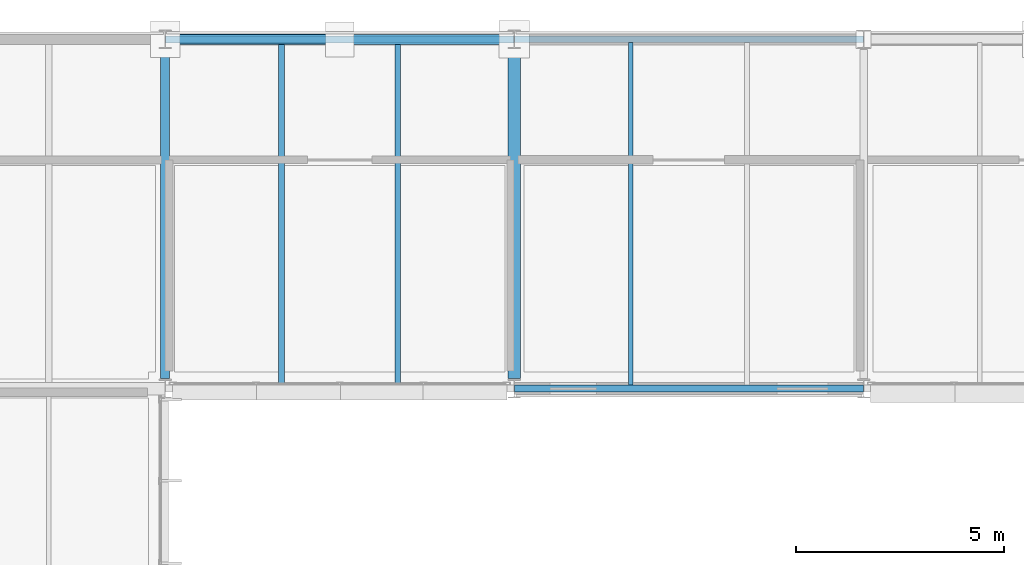
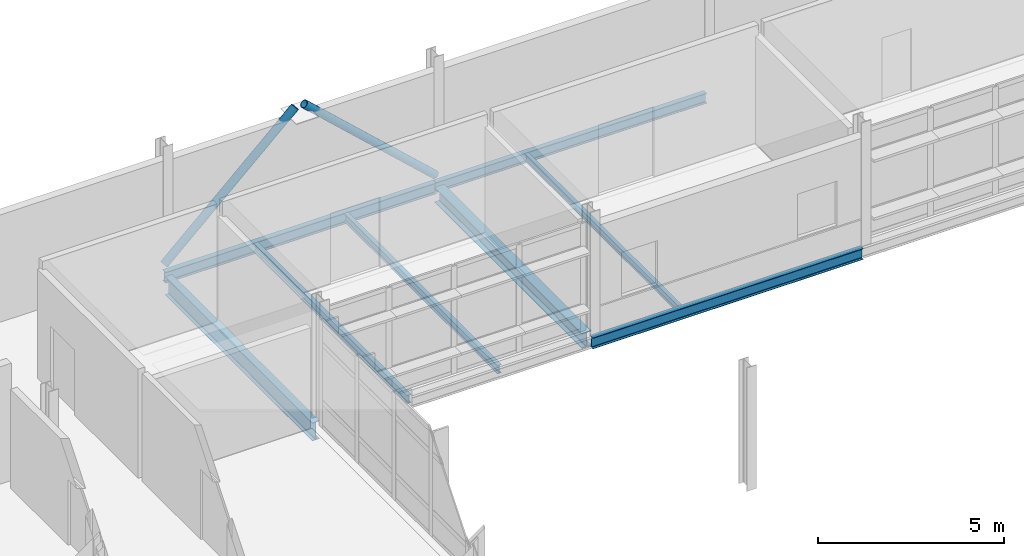
# One storey, part 50 of 131: 8 beams, 2 members.
"""IFC4 building model written with IfcOpenShell, lengths in metres."""

from ifc_helpers import new_model, si_unit, direction, frame, origin, origin_2d, place, context, subcontext, project, spatial, hollow_circle, i_section, extrude, material, material_profile, profile_set, type_object, element, save


model = new_model("IFC4")

# Units and contexts
model_context = context("Model", 3, precision=1e-05, world=origin(), true_north=direction((0.0, 1.0)))
body_context = subcontext(model_context, "Body", "Model", "MODEL_VIEW")
ifc_project = project(units=[si_unit("LENGTHUNIT", "METRE"), si_unit("AREAUNIT", "SQUARE_METRE"), si_unit("VOLUMEUNIT", "CUBIC_METRE"), si_unit("PLANEANGLEUNIT", "RADIAN"), si_unit("MASSUNIT", "GRAM", prefix="KILO")], contexts=[model_context])

# Site, building, storey
site_placement = place(None, origin())
site = spatial("IfcSite", under=ifc_project, at=site_placement, CompositionType="ELEMENT")
building_placement = place(site_placement, origin())
building = spatial("IfcBuilding", under=site, at=building_placement, Name="Mersafa Astral City Hall", CompositionType="ELEMENT")
storey_placement = place(building_placement, frame((0.0, 0.0, 13.949951171875)))
storey = spatial("IfcBuildingStorey", under=building, at=storey_placement, Name="L03", CompositionType="ELEMENT", Elevation=13.949951171875)

# Beams
ifc_material = material(Name="Steel S355", Category="steel")
ifc_material_profile_1 = material_profile(ifc_material, i_section(OverallWidth=0.300048828125, OverallDepth=0.489990234375, WebThickness=0.011962890625, FlangeThickness=0.02294921875, FilletRadius=0.027099609375, at=origin_2d()), Name="HEA 500")
ifc_profile_set_1 = profile_set([ifc_material_profile_1], Name="Steel S355")
beam_type_1 = type_object("IfcBeamType", Name="STR-BM-HEA500", PredefinedType="BEAM", material=ifc_profile_set_1)
beam_1_placement = place(storey_placement, frame((67.199951171875, 117.844970703125, -0.445068359375), z_axis=(0.0, 1.0, 0.0), x_axis=(-1.0, 0.0, 0.0)))
element("IfcBeam", 1, at=beam_1_placement, inside=storey, type_object=beam_type_1, Name="L03 Primary girder Y 8-14", PredefinedType="BEAM", context=body_context, shape_type="SweptSolid", body=[
    extrude(i_section(OverallWidth=0.300048828125, OverallDepth=0.489990234375, WebThickness=0.011962890625, FlangeThickness=0.02294921875, FilletRadius=0.027099609375, at=origin_2d()), origin(), (0.0, 0.0, 1.0), 7.909912109375),
])
ifc_material_profile_2 = material_profile(ifc_material, i_section(OverallWidth=0.219970703125, OverallDepth=0.60009765625, WebThickness=0.011962890625, FlangeThickness=0.01904296875, FilletRadius=0.02392578125, at=origin_2d()), Name="IPE 600")
ifc_profile_set_2 = profile_set([ifc_material_profile_2], Name="Steel S355")
beam_type_2 = type_object("IfcBeamType", Name="STR-BM-IPE600", PredefinedType="BEAM", material=ifc_profile_set_2)
beam_2_placement = place(storey_placement, frame((58.800048828125, 117.844970703125, -0.5), z_axis=(0.0, 1.0, 0.0), x_axis=(-1.0, 0.0, 0.0)))
element("IfcBeam", 2, at=beam_2_placement, inside=storey, type_object=beam_type_2, Name="L03 Primary girder Y 7-14", PredefinedType="BEAM", context=body_context, shape_type="SweptSolid", body=[
    extrude(i_section(OverallWidth=0.219970703125, OverallDepth=0.60009765625, WebThickness=0.011962890625, FlangeThickness=0.01904296875, FilletRadius=0.02392578125, at=origin_2d()), origin(), (0.0, 0.0, 1.0), 7.909912109375),
])
ifc_material_profile_3 = material_profile(ifc_material, i_section(OverallWidth=0.1201171875, OverallDepth=0.239990234375, WebThickness=0.006103515625, FlangeThickness=0.009765625, FilletRadius=0.014892578125, at=origin_2d()), Name="IPE 240")
ifc_profile_set_3 = profile_set([ifc_material_profile_3], Name="Steel S355")
beam_type_3 = type_object("IfcBeamType", Name="STR-BM-JOIST-IPE240", PredefinedType="JOIST", material=ifc_profile_set_3)
beam_3_placement = place(storey_placement, frame((70.0, 117.679931640625, -0.320068359375), z_axis=(0.0, 1.0, 0.0), x_axis=(-1.0, 0.0, 0.0)))
element("IfcBeam", 3, at=beam_3_placement, inside=storey, type_object=beam_type_3, Name="L03 Composite secondary floor joist 576", PredefinedType="JOIST", context=body_context, shape_type="SweptSolid", body=[
    extrude(i_section(OverallWidth=0.1201171875, OverallDepth=0.239990234375, WebThickness=0.006103515625, FlangeThickness=0.009765625, FilletRadius=0.014892578125, at=origin_2d()), origin(), (0.0, 0.0, 1.0), 8.2451171875),
])
ifc_material_profile_4 = material_profile(ifc_material, i_section(OverallWidth=0.135009765625, OverallDepth=0.27001953125, WebThickness=0.006591796875, FlangeThickness=0.01025390625, FilletRadius=0.014892578125, at=origin_2d()), Name="IPE 270")
ifc_profile_set_4 = profile_set([ifc_material_profile_4], Name="Steel S355")
beam_type_4 = type_object("IfcBeamType", Name="STR-BM-JOIST-IPE270", PredefinedType="JOIST", material=ifc_profile_set_4)
for number, where, z_axis, x_axis, name in (
    (4, (61.60009765625, 117.675048828125, -0.3349609375), (0.0, 1.0, 0.0), (-1.0, 0.0, 0.0), "L03 Composite secondary floor joist 574"),
    (5, (64.39990234375, 117.675048828125, -0.3349609375), (0.0, 1.0, 0.0), (-1.0, 0.0, 0.0), "L03 Composite secondary floor joist 575"),
):
    element("IfcBeam", number, at=place(storey_placement, frame(where, z_axis=z_axis, x_axis=x_axis)), inside=storey, type_object=beam_type_4, Name=name, PredefinedType="JOIST", context=body_context, shape_type="SweptSolid", body=[
        extrude(i_section(OverallWidth=0.135009765625, OverallDepth=0.27001953125, WebThickness=0.006591796875, FlangeThickness=0.01025390625, FilletRadius=0.014892578125, at=origin_2d()), origin(), (0.0, 0.0, 1.0), 8.244873046875),
    ])
ifc_material_profile_5 = material_profile(ifc_material, i_section(OverallWidth=0.159912109375, OverallDepth=0.330078125, WebThickness=0.007568359375, FlangeThickness=0.011474609375, FilletRadius=0.01806640625, at=origin_2d()), Name="IPE 330")
ifc_profile_set_5 = profile_set([ifc_material_profile_5], Name="Steel S355")
beam_type_5 = type_object("IfcBeamType", Name="STR-BM-SPANDREL-IPE330", PredefinedType="SPANDREL", material=ifc_profile_set_5)
beam_4_placement = place(storey_placement, frame((67.202880859375, 126.0, -0.364990234375), z_axis=(1.0, 0.0, 0.0), x_axis=(0.0, 1.0, 0.0)))
element("IfcBeam", 6, at=beam_4_placement, inside=storey, type_object=beam_type_5, Name="L03 Primary girder X 8-15", PredefinedType="SPANDREL", context=body_context, shape_type="SweptSolid", body=[
    extrude(i_section(OverallWidth=0.159912109375, OverallDepth=0.330078125, WebThickness=0.007568359375, FlangeThickness=0.011474609375, FilletRadius=0.01806640625, at=origin_2d()), origin(), (0.0, 0.0, 1.0), 8.39404296875),
])
ifc_material_profile_6 = material_profile(ifc_material, i_section(OverallWidth=0.169921875, OverallDepth=0.360107421875, WebThickness=0.008056640625, FlangeThickness=0.0126953125, FilletRadius=0.01806640625, at=origin_2d()), Name="IPE 360")
ifc_profile_set_6 = profile_set([ifc_material_profile_6], Name="Steel S355")
beam_type_6 = type_object("IfcBeamType", Name="STR-BM-SPANDREL-IPE360", PredefinedType="SPANDREL", material=ifc_profile_set_6)
for number, where, z_axis, x_axis, name in (
    (7, (67.202880859375, 117.60009765625, -0.3798828125), (1.0, 0.0, 0.0), (0.0, 1.0, 0.0), "L03 Primary girder X 8-14"),
    (8, (58.802978515625, 126.0, -0.3798828125), (1.0, 0.0, 0.0), (0.0, 1.0, 0.0), "L03 Primary girder X 7-15"),
):
    element("IfcBeam", number, at=place(storey_placement, frame(where, z_axis=z_axis, x_axis=x_axis)), inside=storey, type_object=beam_type_6, Name=name, PredefinedType="SPANDREL", context=body_context, shape_type="SweptSolid", body=[
        extrude(i_section(OverallWidth=0.169921875, OverallDepth=0.360107421875, WebThickness=0.008056640625, FlangeThickness=0.0126953125, FilletRadius=0.01806640625, at=origin_2d()), origin(), (0.0, 0.0, 1.0), 8.39404296875),
    ])

# Members
ifc_material_profile_7 = material_profile(ifc_material, hollow_circle(Radius=0.122314453125, WallThickness=0.012451171875, at=origin_2d()), Name="CHS 244.5x12.5")
ifc_profile_set_7 = profile_set([ifc_material_profile_7], Name="Steel S355")
member_type = type_object("IfcMemberType", Name="STR-MBR-BRACE-CHS245", PredefinedType="BRACE", material=ifc_profile_set_7)
for number, where, z_axis, x_axis, name in (
    (9, (58.798095703125, 126.0, 0.02001953125), (0.735203128341, 0.0, 0.677846855917), (0.0, 1.0, 0.0), "L03 Chevron lateral brace 5A"),
    (10, (67.201904296875, 126.0, 0.02001953125), (-0.735203128341, 0.0, 0.677846855917), (0.0, -1.0, 0.0), "L03 Chevron lateral brace 5B"),
):
    element("IfcMember", number, at=place(storey_placement, frame(where, z_axis=z_axis, x_axis=x_axis)), inside=storey, type_object=member_type, Name=name, PredefinedType="BRACE", context=body_context, shape_type="SweptSolid", body=[
        extrude(hollow_circle(Radius=0.122314453125, WallThickness=0.012451171875, at=origin_2d()), origin(), (0.0, 0.0, 1.0), 5.52490234375),
    ])

save(model, "model.ifc")
